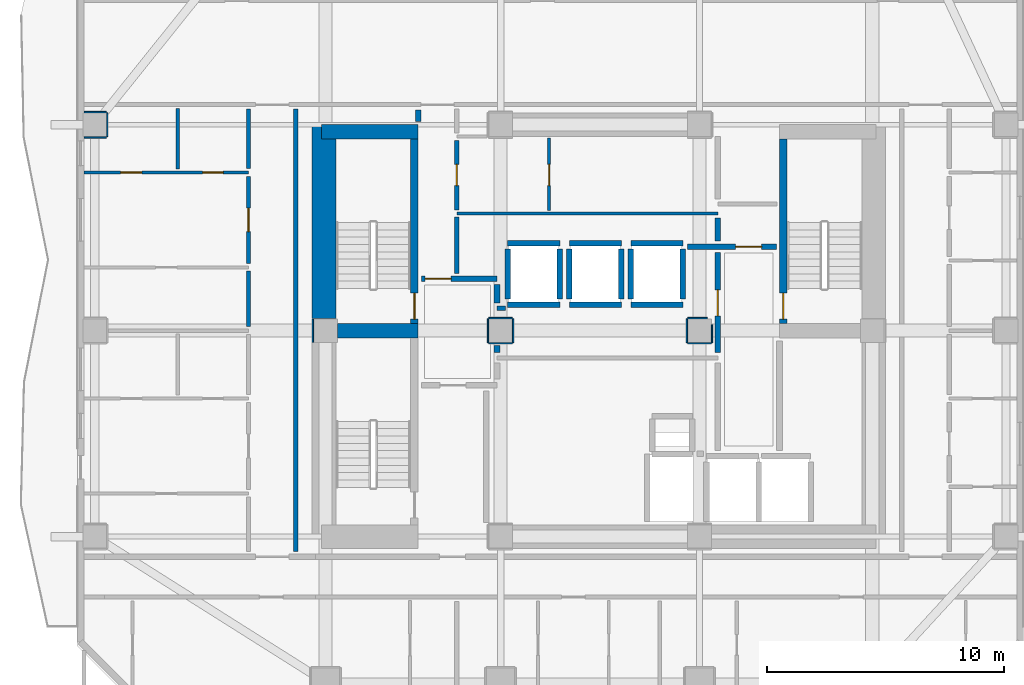
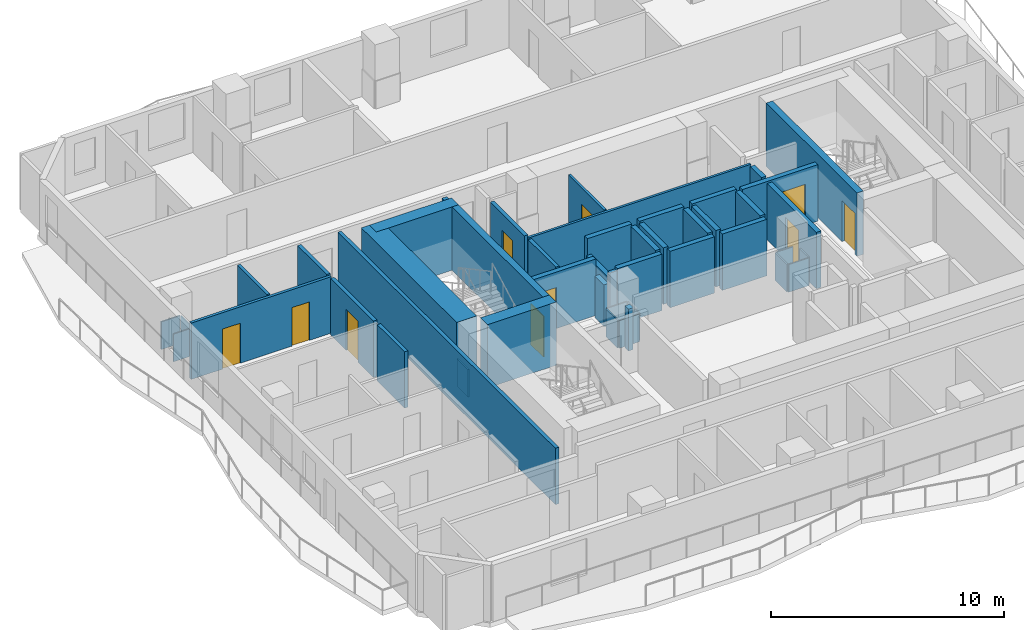
# One storey, part 4 of 11: 47 walls, 10 doors, 10 openings.
"""IFC4 building model written with IfcOpenShell, lengths in metres."""

from ifc_helpers import new_model, si_unit, direction, frame, frame_2d, origin, place, context, subcontext, project, spatial, rectangle, extrude, material, layer, layer_set, type_object, element, fill, save


model = new_model("IFC4")

# Units and contexts
model_context = context("Model", 3, precision=1e-05, world=origin(), true_north=direction((0.0, 1.0)))
body_context = subcontext(model_context, "Body", "Model", "MODEL_VIEW")
ifc_project = project(units=[si_unit("LENGTHUNIT", "METRE"), si_unit("AREAUNIT", "SQUARE_METRE"), si_unit("VOLUMEUNIT", "CUBIC_METRE"), si_unit("PLANEANGLEUNIT", "RADIAN"), si_unit("MASSUNIT", "GRAM", prefix="KILO")], contexts=[model_context])

# Site, building, storey
site_placement = place(None, origin())
site = spatial("IfcSite", under=ifc_project, at=site_placement, CompositionType="ELEMENT")
building_placement = place(site_placement, origin())
building = spatial("IfcBuilding", under=site, at=building_placement, Name="Solanera Arch Residences", CompositionType="ELEMENT")
storey_placement = place(building_placement, frame((0.0, 0.0, 169.159912109375)))
storey = spatial("IfcBuildingStorey", under=building, at=storey_placement, Name="L49", CompositionType="ELEMENT", Elevation=169.159912109375)

# Walls
ifc_material_1 = material(Name="Fire-Rated Gypsum Stud Partition", Category="gypsum")
ifc_layer_1 = layer(ifc_material_1, 0.06005859375)
ifc_layer_set_1 = layer_set([ifc_layer_1], Name="Fire-Rated Gypsum Stud Partition")
wall_type_1 = type_object("IfcWallType", Name="Column Acoustic Furring Wall 60", PredefinedType="PARTITIONING", material=ifc_layer_set_1)
wall_1_placement = place(storey_placement, frame((12.867919921875, 30.2099609375, 0.0), z_axis=(0.0, 0.0, 1.0), x_axis=(0.0, 1.0, 0.0)))
element("IfcWall", 1, at=wall_1_placement, inside=storey, type_object=wall_type_1, Name="L49 Column Furring 5W", PredefinedType="PARTITIONING", context=body_context, shape_type="SweptSolid", body=[
    extrude(rectangle(XDim=0.97998046875, YDim=0.06005859375, at=frame_2d((0.489990234375, 0.0))), origin(), (0.0, 0.0, 1.0), 1.4501953125),
])
for number, where, z_axis, x_axis, name in (
    (2, (20.300048828125, 30.16796875, 0.0), (0.0, 0.0, 1.0), (1.0, 0.0, 0.0), "L49 Column Furring 7S"),
    (3, (20.300048828125, 31.23193359375, 0.0), (0.0, 0.0, 1.0), (1.0, 0.0, 0.0), "L49 Column Furring 7N"),
    (4, (20.26806640625, 30.199951171875, 0.0), (0.0, 0.0, 1.0), (0.0, 1.0, 0.0), "L49 Column Furring 7W"),
    (5, (21.33203125, 30.199951171875, 0.0), (0.0, 0.0, 1.0), (0.0, 1.0, 0.0), "L49 Column Furring 7E"),
    (6, (28.699951171875, 30.16796875, 0.0), (0.0, 0.0, 1.0), (1.0, 0.0, 0.0), "L49 Column Furring 8S"),
):
    element("IfcWall", number, at=place(storey_placement, frame(where, z_axis=z_axis, x_axis=x_axis)), inside=storey, type_object=wall_type_1, Name=name, PredefinedType="PARTITIONING", context=body_context, shape_type="SweptSolid", body=[
        extrude(rectangle(XDim=1.0, YDim=0.06005859375, at=frame_2d((0.5, 0.0))), origin(), (0.0, 0.0, 1.0), 1.4501953125),
    ])
wall_2_placement = place(storey_placement, frame((28.699951171875, 31.23193359375, 0.0), z_axis=(0.0, 0.0, 1.0), x_axis=(1.0, 0.0, 0.0)))
element("IfcWall", 7, at=wall_2_placement, inside=storey, type_object=wall_type_1, Name="L49 Column Furring 8N", PredefinedType="PARTITIONING", context=body_context, shape_type="SweptSolid", body=[
    extrude(rectangle(XDim=0.8349609375, YDim=0.06005859375, at=frame_2d((0.41748046875, 0.0))), origin(), (0.0, 0.0, 1.0), 1.4501953125),
])
wall_3_placement = place(storey_placement, frame((28.66796875, 30.199951171875, 0.0), z_axis=(0.0, 0.0, 1.0), x_axis=(0.0, 1.0, 0.0)))
element("IfcWall", 8, at=wall_3_placement, inside=storey, type_object=wall_type_1, Name="L49 Column Furring 8W", PredefinedType="PARTITIONING", context=body_context, shape_type="SweptSolid", body=[
    extrude(rectangle(XDim=1.0, YDim=0.06005859375, at=frame_2d((0.5, 0.0))), origin(), (0.0, 0.0, 1.0), 1.4501953125),
])
wall_4_placement = place(storey_placement, frame((29.73193359375, 30.199951171875, 0.0), z_axis=(0.0, 0.0, 1.0), x_axis=(0.0, 1.0, 0.0)))
element("IfcWall", 9, at=wall_4_placement, inside=storey, type_object=wall_type_1, Name="L49 Column Furring 8E", PredefinedType="PARTITIONING", context=body_context, shape_type="SweptSolid", body=[
    extrude(rectangle(XDim=0.7470703125, YDim=0.06005859375, at=frame_2d((0.37353515625, 0.0))), origin(), (0.0, 0.0, 1.0), 1.4501953125),
])
for number, where, z_axis, x_axis, name in (
    (10, (3.2099609375, 38.867919921875, 0.0), (0.0, 0.0, 1.0), (1.0, 0.0, 0.0), "L49 Column Furring 21S"),
    (11, (3.2099609375, 39.931884765625, 0.0), (0.0, 0.0, 1.0), (1.0, 0.0, 0.0), "L49 Column Furring 21N"),
):
    element("IfcWall", number, at=place(storey_placement, frame(where, z_axis=z_axis, x_axis=x_axis)), inside=storey, type_object=wall_type_1, Name=name, PredefinedType="PARTITIONING", context=body_context, shape_type="SweptSolid", body=[
        extrude(rectangle(XDim=0.93994140625, YDim=0.06005859375, at=frame_2d((0.469970703125, 0.0))), origin(), (0.0, 0.0, 1.0), 1.4501953125),
    ])
wall_5_placement = place(storey_placement, frame((4.181884765625, 38.89990234375, 0.0), z_axis=(0.0, 0.0, 1.0), x_axis=(0.0, 1.0, 0.0)))
element("IfcWall", 12, at=wall_5_placement, inside=storey, type_object=wall_type_1, Name="L49 Column Furring 21E", PredefinedType="PARTITIONING", context=body_context, shape_type="SweptSolid", body=[
    extrude(rectangle(XDim=1.0, YDim=0.06005859375, at=frame_2d((0.5, 0.0))), origin(), (0.0, 0.0, 1.0), 1.4501953125),
])
ifc_material_2 = material(Name="Concrete C55/67 (f'c = 60 MPa)", Category="concrete")
ifc_layer_2 = layer(ifc_material_2, 1.0)
ifc_layer_set_2 = layer_set([ifc_layer_2], Name="Concrete C55/67 (f'c = 60 MPa)")
wall_type_2 = type_object("IfcWallType", Name="Core Shear Wall CW-1000", PredefinedType="SHEAR", material=ifc_layer_set_2)
wall_6_placement = place(storey_placement, frame((13.340087890625, 31.205078125, 0.0), z_axis=(0.0, 0.0, 1.0), x_axis=(0.0, 1.0, 0.0)))
element("IfcWall", 13, at=wall_6_placement, inside=storey, type_object=wall_type_2, Name="L49 West Core North Shear Wall", PredefinedType="SHEAR", context=body_context, shape_type="SweptSolid", body=[
    extrude(rectangle(XDim=8.19482421875, YDim=1.0, at=frame_2d((4.097412109375, 0.0))), origin(), (0.0, 0.0, 1.0), 3.320068359375),
])

# Wall, opening, door
ifc_material_3 = material(Name="Concrete C40/50 (f'c = 45 MPa)", Category="concrete")
ifc_layer_3 = layer(ifc_material_3, 0.320068359375)
ifc_layer_set_3 = layer_set([ifc_layer_3], Name="Concrete C40/50 (f'c = 45 MPa)")
wall_type_3 = type_object("IfcWallType", Name="Core Shear Wall CW-320", PredefinedType="SHEAR", material=ifc_layer_set_3)
wall_7_placement = place(storey_placement, frame((17.159912109375, 31.0, 0.0), z_axis=(0.0, 0.0, 1.0), x_axis=(0.0, 1.0, 0.0)))
wall_7 = element("IfcWall", 14, at=wall_7_placement, inside=storey, type_object=wall_type_3, Name="L49 Stair ST-T1 East Shear Wall", PredefinedType="SHEAR", context=body_context, shape_type="SweptSolid", body=[
    extrude(rectangle(XDim=7.800048828125, YDim=0.320068359375, at=frame_2d((3.89990234375, 0.0))), origin(), (0.0, 0.0, 1.0), 3.320068359375),
])
opening_1_placement = place(wall_7_placement, frame((0.18994140625, 0.0, 0.0)))
opening_1 = element("IfcOpeningElement", 15, at=opening_1_placement, cuts=wall_7, Name="Opening DF-01", PredefinedType="OPENING", context=body_context, shape_type="SweptSolid", body=[
    extrude(rectangle(XDim=1.10009765625, YDim=2.14990234375, at=frame_2d((0.550048828125, 1.074951171875))), frame((0.0, 0.169921875, 0.0), z_axis=(0.0, -1.0, 0.0), x_axis=(1.0, 0.0, 0.0)), (0.0, 0.0, 1.0), 0.3401),
])
ifc_material_4 = material(Name="Fire-Rated Architectural Hardwood", Category="wood")
door_type_1 = type_object("IfcDoorType", Name="Stair Exit Fire Door DF-01", OperationType="NOTDEFINED", PredefinedType="DOOR", material=ifc_material_4)
door_1_placement = place(opening_1_placement, origin())
door_1 = element("IfcDoor", 16, at=door_1_placement, inside=storey, type_object=door_type_1, Name="DR-L49-STAIR-ST-T1", OperationType="SINGLE_SWING_LEFT", OverallHeight=2.14990234375, OverallWidth=1.10009765625, PredefinedType="DOOR", context=body_context, shape_type="SweptSolid", body=[
    extrude(rectangle(XDim=1.10009765625, YDim=2.14990234375, at=frame_2d((0.550048828125, 1.074951171875))), frame((0.0, 0.02490234375, 0.0), z_axis=(0.0, -1.0, 0.0), x_axis=(1.0, 0.0, 0.0)), (0.0, 0.0, 1.0), 0.050048828125),
])
fill(opening_1, door_1)

wall_8_placement = place(storey_placement, frame((32.739990234375, 31.0, 0.0), z_axis=(0.0, 0.0, 1.0), x_axis=(0.0, 1.0, 0.0)))
wall_8 = element("IfcWall", 17, at=wall_8_placement, inside=storey, type_object=wall_type_3, Name="L49 Stair ST-T2 West Shear Wall", PredefinedType="SHEAR", context=body_context, shape_type="SweptSolid", body=[
    extrude(rectangle(XDim=7.800048828125, YDim=0.320068359375, at=frame_2d((3.89990234375, 0.0))), origin(), (0.0, 0.0, 1.0), 3.320068359375),
])
opening_2_placement = place(wall_8_placement, frame((0.18994140625, 0.0, 0.0)))
opening_2 = element("IfcOpeningElement", 18, at=opening_2_placement, cuts=wall_8, Name="Opening DF-01", PredefinedType="OPENING", context=body_context, shape_type="SweptSolid", body=[
    extrude(rectangle(XDim=1.10009765625, YDim=2.14990234375, at=frame_2d((0.550048828125, 1.074951171875))), frame((0.0, 0.169921875, 0.0), z_axis=(0.0, -1.0, 0.0), x_axis=(1.0, 0.0, 0.0)), (0.0, 0.0, 1.0), 0.3401),
])
door_2_placement = place(opening_2_placement, origin())
door_2 = element("IfcDoor", 19, at=door_2_placement, inside=storey, type_object=door_type_1, Name="DR-L49-STAIR-ST-T2", OperationType="SINGLE_SWING_RIGHT", OverallHeight=2.14990234375, OverallWidth=1.10009765625, PredefinedType="DOOR", context=body_context, shape_type="SweptSolid", body=[
    extrude(rectangle(XDim=1.10009765625, YDim=2.14990234375, at=frame_2d((0.550048828125, 1.074951171875))), frame((0.0, 0.02490234375, 0.0), z_axis=(0.0, -1.0, 0.0), x_axis=(1.0, 0.0, 0.0)), (0.0, 0.0, 1.0), 0.050048828125),
])
fill(opening_2, door_2)

# Walls
ifc_material_5 = material(Name="Concrete C40/50 (f'c = 45 MPa)", Category="concrete")
ifc_layer_4 = layer(ifc_material_5, 0.60009765625)
ifc_layer_set_4 = layer_set([ifc_layer_4], Name="Concrete C40/50 (f'c = 45 MPa)")
wall_type_4 = type_object("IfcWallType", Name="Core Shear Wall CW-600", PredefinedType="SHEAR", material=ifc_layer_set_4)
wall_9_placement = place(storey_placement, frame((13.239990234375, 39.10009765625, 0.0), z_axis=(0.0, 0.0, 1.0), x_axis=(1.0, 0.0, 0.0)))
element("IfcWall", 20, at=wall_9_placement, inside=storey, type_object=wall_type_4, Name="L49 North-West Core Shear Wall", PredefinedType="SHEAR", context=body_context, shape_type="SweptSolid", body=[
    extrude(rectangle(XDim=4.080078125, YDim=0.60009765625, at=frame_2d((2.0400390625, 0.0))), origin(), (0.0, 0.0, 1.0), 3.320068359375),
])
wall_10_placement = place(storey_placement, frame((13.905029296875, 30.699951171875, 0.0), z_axis=(0.0, 0.0, 1.0), x_axis=(1.0, 0.0, 0.0)))
element("IfcWall", 21, at=wall_10_placement, inside=storey, type_object=wall_type_4, Name="L49 West Stair Divider Shear Wall", PredefinedType="SHEAR", context=body_context, shape_type="SweptSolid", body=[
    extrude(rectangle(XDim=3.4150390625, YDim=0.60009765625, at=frame_2d((1.70751953125, 0.0))), origin(), (0.0, 0.0, 1.0), 3.320068359375),
])
ifc_material_6 = material(Name="Autoclaved Aerated Concrete Blockwork", Category="masonry")
ifc_layer_5 = layer(ifc_material_6, 0.179931640625)
ifc_layer_set_5 = layer_set([ifc_layer_5], Name="Autoclaved Aerated Concrete Blockwork")
wall_type_5 = type_object("IfcWallType", Name="Corridor Fire Partition 180", PredefinedType="PARTITIONING", material=ifc_layer_set_5)
wall_11_placement = place(storey_placement, frame((20.64990234375, 31.64990234375, 0.0), z_axis=(0.0, 0.0, 1.0), x_axis=(1.0, 0.0, 0.0)))
element("IfcWall", 22, at=wall_11_placement, inside=storey, type_object=wall_type_5, Name="L49 Interior Partition H8", PredefinedType="PARTITIONING", context=body_context, shape_type="SweptSolid", body=[
    extrude(rectangle(XDim=0.357177734375, YDim=0.179931640625, at=frame_2d((0.1787109375, 0.0))), origin(), (0.0, 0.0, 1.0), 2.960205078125),
])
wall_12_placement = place(storey_placement, frame((10.14990234375, 30.867919921875, 0.0), z_axis=(0.0, 0.0, 1.0), x_axis=(0.0, 1.0, 0.0)))
element("IfcWall", 23, at=wall_12_placement, inside=storey, type_object=wall_type_5, Name="L49 Interior Partition V8 4", PredefinedType="PARTITIONING", context=body_context, shape_type="SweptSolid", body=[
    extrude(rectangle(XDim=2.34814453125, YDim=0.179931640625, at=frame_2d((1.174072265625, 0.0))), origin(), (0.0, 0.0, 1.0), 2.960205078125),
])

# Wall, opening, door
wall_13_placement = place(storey_placement, frame((10.14990234375, 33.531982421875, 0.0), z_axis=(0.0, 0.0, 1.0), x_axis=(0.0, 1.0, 0.0)))
wall_13 = element("IfcWall", 24, at=wall_13_placement, inside=storey, type_object=wall_type_5, Name="L49 Interior Partition V8 5", PredefinedType="PARTITIONING", context=body_context, shape_type="SweptSolid", body=[
    extrude(rectangle(XDim=3.68505859375, YDim=0.179931640625, at=frame_2d((1.842529296875, 0.0))), origin(), (0.0, 0.0, 1.0), 2.960205078125),
])
opening_3_placement = place(wall_13_placement, frame((1.347900390625, 0.0, 0.0)))
opening_3 = element("IfcOpeningElement", 25, at=opening_3_placement, cuts=wall_13, Name="Opening DI-01", PredefinedType="OPENING", context=body_context, shape_type="SweptSolid", body=[
    extrude(rectangle(XDim=1.0, YDim=2.14990234375, at=frame_2d((0.5, 1.074951171875))), frame((0.0, 0.10009765625, 0.0), z_axis=(0.0, -1.0, 0.0), x_axis=(1.0, 0.0, 0.0)), (0.0, 0.0, 1.0), 0.1999),
])
ifc_material_7 = material(Name="Fire-Rated Architectural Hardwood", Category="wood")
door_type_2 = type_object("IfcDoorType", Name="Unit Entrance Fire Door DI-01", OperationType="NOTDEFINED", PredefinedType="DOOR", material=ifc_material_7)
door_3_placement = place(opening_3_placement, origin())
door_3 = element("IfcDoor", 26, at=door_3_placement, inside=storey, type_object=door_type_2, Name="DR-L49-IN-038", OperationType="SINGLE_SWING_RIGHT", OverallHeight=2.14990234375, OverallWidth=1.0, PredefinedType="DOOR", context=body_context, shape_type="SweptSolid", body=[
    extrude(rectangle(XDim=1.0, YDim=2.14990234375, at=frame_2d((0.5, 1.074951171875))), frame((0.0, 0.02490234375, 0.0), z_axis=(0.0, -1.0, 0.0), x_axis=(1.0, 0.0, 0.0)), (0.0, 0.0, 1.0), 0.050048828125),
])
fill(opening_3, door_3)

# Walls
wall_14_placement = place(storey_placement, frame((10.14990234375, 37.552978515625, 0.0), z_axis=(0.0, 0.0, 1.0), x_axis=(0.0, 1.0, 0.0)))
element("IfcWall", 27, at=wall_14_placement, inside=storey, type_object=wall_type_5, Name="L49 Interior Partition V8 6", PredefinedType="PARTITIONING", context=body_context, shape_type="SweptSolid", body=[
    extrude(rectangle(XDim=2.509033203125, YDim=0.179931640625, at=frame_2d((1.25439453125, 0.0))), origin(), (0.0, 0.0, 1.0), 2.960205078125),
])
wall_15_placement = place(storey_placement, frame((12.14990234375, 21.367919921875, 0.0), z_axis=(0.0, 0.0, 1.0), x_axis=(0.0, 1.0, 0.0)))
element("IfcWall", 28, at=wall_15_placement, inside=storey, type_object=wall_type_5, Name="L49 Interior Partition V9", PredefinedType="PARTITIONING", context=body_context, shape_type="SweptSolid", body=[
    extrude(rectangle(XDim=18.694091796875, YDim=0.179931640625, at=frame_2d((9.34716796875, 0.0))), origin(), (0.0, 0.0, 1.0), 2.960205078125),
])
wall_16_placement = place(storey_placement, frame((18.949951171875, 33.117919921875, 0.0), z_axis=(0.0, 0.0, 1.0), x_axis=(0.0, 1.0, 0.0)))
element("IfcWall", 29, at=wall_16_placement, inside=storey, type_object=wall_type_5, Name="L49 Interior Partition V11 1", PredefinedType="PARTITIONING", context=body_context, shape_type="SweptSolid", body=[
    extrude(rectangle(XDim=2.3740234375, YDim=0.179931640625, at=frame_2d((1.18701171875, 0.0))), origin(), (0.0, 0.0, 1.0), 2.960205078125),
])

# Wall, opening, door
wall_17_placement = place(storey_placement, frame((18.949951171875, 35.80810546875, 0.0), z_axis=(0.0, 0.0, 1.0), x_axis=(0.0, 1.0, 0.0)))
wall_17 = element("IfcWall", 30, at=wall_17_placement, inside=storey, type_object=wall_type_5, Name="L49 Interior Partition V11 2", PredefinedType="PARTITIONING", context=body_context, shape_type="SweptSolid", body=[
    extrude(rectangle(XDim=2.933837890625, YDim=0.179931640625, at=frame_2d((1.466796875, 0.0))), origin(), (0.0, 0.0, 1.0), 2.960205078125),
])
opening_4_placement = place(wall_17_placement, frame((1.01708984375, 0.0, 0.0)))
opening_4 = element("IfcOpeningElement", 31, at=opening_4_placement, cuts=wall_17, Name="Opening DI-02", PredefinedType="OPENING", context=body_context, shape_type="SweptSolid", body=[
    extrude(rectangle(XDim=0.89990234375, YDim=2.10009765625, at=frame_2d((0.449951171875, 1.050048828125))), frame((0.0, 0.10009765625, 0.0), z_axis=(0.0, -1.0, 0.0), x_axis=(1.0, 0.0, 0.0)), (0.0, 0.0, 1.0), 0.1999),
])
ifc_material_8 = material(Name="Fire-Rated Architectural Hardwood", Category="wood")
door_type_3 = type_object("IfcDoorType", Name="Suite Room Swing Door DI-02", OperationType="NOTDEFINED", PredefinedType="DOOR", material=ifc_material_8)
door_4_placement = place(opening_4_placement, origin())
door_4 = element("IfcDoor", 32, at=door_4_placement, inside=storey, type_object=door_type_3, Name="DR-L49-IN-014", OperationType="SINGLE_SWING_RIGHT", OverallHeight=2.10009765625, OverallWidth=0.89990234375, PredefinedType="DOOR", context=body_context, shape_type="SweptSolid", body=[
    extrude(rectangle(XDim=0.89990234375, YDim=2.10009765625, at=frame_2d((0.449951171875, 1.050048828125))), frame((0.0, 0.02490234375, 0.0), z_axis=(0.0, -1.0, 0.0), x_axis=(1.0, 0.0, 0.0)), (0.0, 0.0, 1.0), 0.050048828125),
])
fill(opening_4, door_4)

# Walls
ifc_material_9 = material(Name="Autoclaved Aerated Concrete Blockwork", Category="masonry")
ifc_layer_6 = layer(ifc_material_9, 0.239990234375)
ifc_layer_set_6 = layer_set([ifc_layer_6], Name="Autoclaved Aerated Concrete Blockwork")
wall_type_6 = type_object("IfcWallType", Name="Shaft Wall Fire-Rated 240", PredefinedType="PARTITIONING", material=ifc_layer_set_6)
for number, where, z_axis, x_axis, name in (
    (33, (21.10009765625, 31.800048828125, 0.0), (0.0, 0.0, 1.0), (1.0, 0.0, 0.0), "L49 Lift PL-M1 Hoistway Wall S"),
    (34, (21.10009765625, 34.39990234375, 0.0), (0.0, 0.0, 1.0), (1.0, 0.0, 0.0), "L49 Lift PL-M1 Hoistway Wall N"),
):
    element("IfcWall", number, at=place(storey_placement, frame(where, z_axis=z_axis, x_axis=x_axis)), inside=storey, type_object=wall_type_6, Name=name, PredefinedType="PARTITIONING", context=body_context, shape_type="SweptSolid", body=[
        extrude(rectangle(XDim=2.199951171875, YDim=0.239990234375, at=frame_2d((1.10009765625, 0.0))), origin(), (0.0, 0.0, 1.0), 2.960205078125),
    ])
wall_18_placement = place(storey_placement, frame((21.10009765625, 32.048095703125, 0.0), z_axis=(0.0, 0.0, 1.0), x_axis=(0.0, 1.0, 0.0)))
element("IfcWall", 35, at=wall_18_placement, inside=storey, type_object=wall_type_6, Name="L49 Lift PL-M1 Hoistway Wall W", PredefinedType="PARTITIONING", context=body_context, shape_type="SweptSolid", body=[
    extrude(rectangle(XDim=2.10400390625, YDim=0.239990234375, at=frame_2d((1.052001953125, 0.0))), origin(), (0.0, 0.0, 1.0), 2.195068359375),
])
wall_19_placement = place(storey_placement, frame((23.300048828125, 32.048095703125, 0.0), z_axis=(0.0, 0.0, 1.0), x_axis=(0.0, 1.0, 0.0)))
element("IfcWall", 36, at=wall_19_placement, inside=storey, type_object=wall_type_6, Name="L49 Lift PL-M1 Hoistway Wall E", PredefinedType="PARTITIONING", context=body_context, shape_type="SweptSolid", body=[
    extrude(rectangle(XDim=2.10400390625, YDim=0.239990234375, at=frame_2d((1.052001953125, 0.0))), origin(), (0.0, 0.0, 1.0), 2.960205078125),
])
for number, where, z_axis, x_axis, name in (
    (37, (23.699951171875, 31.800048828125, 0.0), (0.0, 0.0, 1.0), (1.0, 0.0, 0.0), "L49 Lift PL-M2 Hoistway Wall S"),
    (38, (23.699951171875, 34.39990234375, 0.0), (0.0, 0.0, 1.0), (1.0, 0.0, 0.0), "L49 Lift PL-M2 Hoistway Wall N"),
):
    element("IfcWall", number, at=place(storey_placement, frame(where, z_axis=z_axis, x_axis=x_axis)), inside=storey, type_object=wall_type_6, Name=name, PredefinedType="PARTITIONING", context=body_context, shape_type="SweptSolid", body=[
        extrude(rectangle(XDim=2.199951171875, YDim=0.239990234375, at=frame_2d((1.10009765625, 0.0))), origin(), (0.0, 0.0, 1.0), 2.960205078125),
    ])
for number, where, z_axis, x_axis, name in (
    (39, (23.699951171875, 32.048095703125, 0.0), (0.0, 0.0, 1.0), (0.0, 1.0, 0.0), "L49 Lift PL-M2 Hoistway Wall W"),
    (40, (25.89990234375, 32.048095703125, 0.0), (0.0, 0.0, 1.0), (0.0, 1.0, 0.0), "L49 Lift PL-M2 Hoistway Wall E"),
):
    element("IfcWall", number, at=place(storey_placement, frame(where, z_axis=z_axis, x_axis=x_axis)), inside=storey, type_object=wall_type_6, Name=name, PredefinedType="PARTITIONING", context=body_context, shape_type="SweptSolid", body=[
        extrude(rectangle(XDim=2.10400390625, YDim=0.239990234375, at=frame_2d((1.052001953125, 0.0))), origin(), (0.0, 0.0, 1.0), 2.960205078125),
    ])
for number, where, z_axis, x_axis, name in (
    (41, (26.300048828125, 31.800048828125, 0.0), (0.0, 0.0, 1.0), (1.0, 0.0, 0.0), "L49 Lift PL-M3 Hoistway Wall S"),
    (42, (26.300048828125, 34.39990234375, 0.0), (0.0, 0.0, 1.0), (1.0, 0.0, 0.0), "L49 Lift PL-M3 Hoistway Wall N"),
):
    element("IfcWall", number, at=place(storey_placement, frame(where, z_axis=z_axis, x_axis=x_axis)), inside=storey, type_object=wall_type_6, Name=name, PredefinedType="PARTITIONING", context=body_context, shape_type="SweptSolid", body=[
        extrude(rectangle(XDim=2.199951171875, YDim=0.239990234375, at=frame_2d((1.10009765625, 0.0))), origin(), (0.0, 0.0, 1.0), 2.960205078125),
    ])
for number, where, z_axis, x_axis, name in (
    (43, (26.300048828125, 32.048095703125, 0.0), (0.0, 0.0, 1.0), (0.0, 1.0, 0.0), "L49 Lift PL-M3 Hoistway Wall W"),
    (44, (28.5, 32.048095703125, 0.0), (0.0, 0.0, 1.0), (0.0, 1.0, 0.0), "L49 Lift PL-M3 Hoistway Wall E"),
):
    element("IfcWall", number, at=place(storey_placement, frame(where, z_axis=z_axis, x_axis=x_axis)), inside=storey, type_object=wall_type_6, Name=name, PredefinedType="PARTITIONING", context=body_context, shape_type="SweptSolid", body=[
        extrude(rectangle(XDim=2.10400390625, YDim=0.239990234375, at=frame_2d((1.052001953125, 0.0))), origin(), (0.0, 0.0, 1.0), 2.960205078125),
    ])

# Wall, opening, door
wall_20_placement = place(storey_placement, frame((17.449951171875, 32.89990234375, 0.0), z_axis=(0.0, 0.0, 1.0), x_axis=(1.0, 0.0, 0.0)))
wall_20 = element("IfcWall", 45, at=wall_20_placement, inside=storey, type_object=wall_type_6, Name="L49 Interior Partition H4", PredefinedType="PARTITIONING", context=body_context, shape_type="SweptSolid", body=[
    extrude(rectangle(XDim=3.199951171875, YDim=0.239990234375, at=frame_2d((1.60009765625, 0.0))), origin(), (0.0, 0.0, 1.0), 2.960205078125),
])
opening_5_placement = place(wall_20_placement, frame((0.158935546875, 0.0, 0.0)))
opening_5 = element("IfcOpeningElement", 46, at=opening_5_placement, cuts=wall_20, Name="Opening DF-02", PredefinedType="OPENING", context=body_context, shape_type="SweptSolid", body=[
    extrude(rectangle(XDim=1.10009765625, YDim=2.14990234375, at=frame_2d((0.550048828125, 1.074951171875))), frame((0.0, 0.1298828125, 0.0), z_axis=(0.0, -1.0, 0.0), x_axis=(1.0, 0.0, 0.0)), (0.0, 0.0, 1.0), 0.26),
])
ifc_material_10 = material(Name="Fire-Rated Architectural Hardwood", Category="wood")
door_type_4 = type_object("IfcDoorType", Name="Firefighting Lobby Fire Door DF-02", OperationType="NOTDEFINED", PredefinedType="DOOR", material=ifc_material_10)
door_5_placement = place(opening_5_placement, origin())
door_5 = element("IfcDoor", 47, at=door_5_placement, inside=storey, type_object=door_type_4, Name="DR-L49-IN-005", OperationType="SINGLE_SWING_LEFT", OverallHeight=2.14990234375, OverallWidth=1.10009765625, PredefinedType="DOOR", context=body_context, shape_type="SweptSolid", body=[
    extrude(rectangle(XDim=1.10009765625, YDim=2.14990234375, at=frame_2d((0.550048828125, 1.074951171875))), frame((0.0, 0.02490234375, 0.0), z_axis=(0.0, -1.0, 0.0), x_axis=(1.0, 0.0, 0.0)), (0.0, 0.0, 1.0), 0.050048828125),
])
fill(opening_5, door_5)

wall_21_placement = place(storey_placement, frame((28.701904296875, 34.25, 0.0), z_axis=(0.0, 0.0, 1.0), x_axis=(1.0, 0.0, 0.0)))
wall_21 = element("IfcWall", 48, at=wall_21_placement, inside=storey, type_object=wall_type_6, Name="L49 Interior Partition H5", PredefinedType="PARTITIONING", context=body_context, shape_type="SweptSolid", body=[
    extrude(rectangle(XDim=3.748046875, YDim=0.239990234375, at=frame_2d((1.8740234375, 0.0))), origin(), (0.0, 0.0, 1.0), 2.960205078125),
])
opening_6_placement = place(wall_21_placement, frame((2.02490234375, 0.0, 0.0)))
opening_6 = element("IfcOpeningElement", 49, at=opening_6_placement, cuts=wall_21, Name="Opening DF-02", PredefinedType="OPENING", context=body_context, shape_type="SweptSolid", body=[
    extrude(rectangle(XDim=1.10009765625, YDim=2.14990234375, at=frame_2d((0.550048828125, 1.074951171875))), frame((0.0, 0.1298828125, 0.0), z_axis=(0.0, -1.0, 0.0), x_axis=(1.0, 0.0, 0.0)), (0.0, 0.0, 1.0), 0.26),
])
door_6_placement = place(opening_6_placement, origin())
door_6 = element("IfcDoor", 50, at=door_6_placement, inside=storey, type_object=door_type_4, Name="DR-L49-IN-007", OperationType="SINGLE_SWING_LEFT", OverallHeight=2.14990234375, OverallWidth=1.10009765625, PredefinedType="DOOR", context=body_context, shape_type="SweptSolid", body=[
    extrude(rectangle(XDim=1.10009765625, YDim=2.14990234375, at=frame_2d((0.550048828125, 1.074951171875))), frame((0.0, 0.02490234375, 0.0), z_axis=(0.0, -1.0, 0.0), x_axis=(1.0, 0.0, 0.0)), (0.0, 0.0, 1.0), 0.050048828125),
])
fill(opening_6, door_6)

# Walls
wall_22_placement = place(storey_placement, frame((17.320068359375, 39.530029296875, 0.0), z_axis=(0.0, 0.0, 1.0), x_axis=(0.0, 1.0, 0.0)))
element("IfcWall", 51, at=wall_22_placement, inside=storey, type_object=wall_type_6, Name="L49 Interior Partition V1", PredefinedType="PARTITIONING", context=body_context, shape_type="SweptSolid", body=[
    extrude(rectangle(XDim=0.501953125, YDim=0.239990234375, at=frame_2d((0.2509765625, 0.0))), origin(), (0.0, 0.0, 1.0), 2.960205078125),
])
wall_23_placement = place(storey_placement, frame((20.64990234375, 29.76806640625, 0.0), z_axis=(0.0, 0.0, 1.0), x_axis=(0.0, 1.0, 0.0)))
element("IfcWall", 52, at=wall_23_placement, inside=storey, type_object=wall_type_6, Name="L49 Interior Partition V4 2", PredefinedType="PARTITIONING", context=body_context, shape_type="SweptSolid", body=[
    extrude(rectangle(XDim=0.300048828125, YDim=0.239990234375, at=frame_2d((0.14990234375, 0.0))), origin(), (0.0, 0.0, 1.0), 2.195068359375),
])
wall_24_placement = place(storey_placement, frame((20.64990234375, 31.867919921875, 0.0), z_axis=(0.0, 0.0, 1.0), x_axis=(0.0, 1.0, 0.0)))
element("IfcWall", 53, at=wall_24_placement, inside=storey, type_object=wall_type_6, Name="L49 Interior Partition V4 3", PredefinedType="PARTITIONING", context=body_context, shape_type="SweptSolid", body=[
    extrude(rectangle(XDim=0.7841796875, YDim=0.239990234375, at=frame_2d((0.39208984375, 0.0))), origin(), (0.0, 0.0, 1.0), 2.195068359375),
])

# Wall, opening, door
wall_25_placement = place(storey_placement, frame((29.97509765625, 29.76806640625, 0.0), z_axis=(0.0, 0.0, 1.0), x_axis=(0.0, 1.0, 0.0)))
wall_25 = element("IfcWall", 54, at=wall_25_placement, inside=storey, type_object=wall_type_6, Name="L49 Interior Partition V5 2", PredefinedType="PARTITIONING", context=body_context, shape_type="SweptSolid", body=[
    extrude(rectangle(XDim=4.23388671875, YDim=0.239990234375, at=frame_2d((2.116943359375, 0.0))), origin(), (0.0, 0.0, 1.0), 2.960205078125),
])
opening_7_placement = place(wall_25_placement, frame((1.556884765625, 0.0, 0.0)))
opening_7 = element("IfcOpeningElement", 55, at=opening_7_placement, cuts=wall_25, Name="Opening DF-02", PredefinedType="OPENING", context=body_context, shape_type="SweptSolid", body=[
    extrude(rectangle(XDim=1.10009765625, YDim=2.14990234375, at=frame_2d((0.550048828125, 1.074951171875))), frame((0.0, 0.1298828125, 0.0), z_axis=(0.0, -1.0, 0.0), x_axis=(1.0, 0.0, 0.0)), (0.0, 0.0, 1.0), 0.26),
])
door_7_placement = place(opening_7_placement, origin())
door_7 = element("IfcDoor", 56, at=door_7_placement, inside=storey, type_object=door_type_4, Name="DR-L49-IN-006", OperationType="SINGLE_SWING_RIGHT", OverallHeight=2.14990234375, OverallWidth=1.10009765625, PredefinedType="DOOR", context=body_context, shape_type="SweptSolid", body=[
    extrude(rectangle(XDim=1.10009765625, YDim=2.14990234375, at=frame_2d((0.550048828125, 1.074951171875))), frame((0.0, 0.02490234375, 0.0), z_axis=(0.0, -1.0, 0.0), x_axis=(1.0, 0.0, 0.0)), (0.0, 0.0, 1.0), 0.050048828125),
])
fill(opening_7, door_7)

# Walls
wall_26_placement = place(storey_placement, frame((29.97509765625, 34.498046875, 0.0), z_axis=(0.0, 0.0, 1.0), x_axis=(0.0, 1.0, 0.0)))
element("IfcWall", 57, at=wall_26_placement, inside=storey, type_object=wall_type_6, Name="L49 Interior Partition V5 3", PredefinedType="PARTITIONING", context=body_context, shape_type="SweptSolid", body=[
    extrude(rectangle(XDim=0.9638671875, YDim=0.239990234375, at=frame_2d((0.48193359375, 0.0))), origin(), (0.0, 0.0, 1.0), 2.960205078125),
])
ifc_material_11 = material(Name="Fire-Rated Gypsum Stud Partition", Category="gypsum")
ifc_layer_7 = layer(ifc_material_11, 0.1201171875)
ifc_layer_set_7 = layer_set([ifc_layer_7], Name="Fire-Rated Gypsum Stud Partition")
wall_type_7 = type_object("IfcWallType", Name="Unit Drywall Partition 120", PredefinedType="PARTITIONING", material=ifc_layer_set_7)
wall_27_placement = place(storey_placement, frame((18.949951171875, 35.64990234375, 0.0), z_axis=(0.0, 0.0, 1.0), x_axis=(1.0, 0.0, 0.0)))
element("IfcWall", 58, at=wall_27_placement, inside=storey, type_object=wall_type_7, Name="L49 Interior Partition H27", PredefinedType="PARTITIONING", context=body_context, shape_type="SweptSolid", body=[
    extrude(rectangle(XDim=11.025146484375, YDim=0.1201171875, at=frame_2d((5.5126953125, 0.0))), origin(), (0.0, 0.0, 1.0), 2.960205078125),
])

# Wall, opening, door
wall_28_placement = place(storey_placement, frame((22.85009765625, 35.778076171875, 0.0), z_axis=(0.0, 0.0, 1.0), x_axis=(0.0, 1.0, 0.0)))
wall_28 = element("IfcWall", 59, at=wall_28_placement, inside=storey, type_object=wall_type_7, Name="L49 Interior Partition V27", PredefinedType="PARTITIONING", context=body_context, shape_type="SweptSolid", body=[
    extrude(rectangle(XDim=3.052001953125, YDim=0.1201171875, at=frame_2d((1.52587890625, 0.0))), origin(), (0.0, 0.0, 1.0), 2.960205078125),
])
opening_8_placement = place(wall_28_placement, frame((1.047119140625, 0.0, 0.0)))
opening_8 = element("IfcOpeningElement", 60, at=opening_8_placement, cuts=wall_28, Name="Opening DI-02", PredefinedType="OPENING", context=body_context, shape_type="SweptSolid", body=[
    extrude(rectangle(XDim=0.89990234375, YDim=2.10009765625, at=frame_2d((0.449951171875, 1.050048828125))), frame((0.0, 0.070068359375, 0.0), z_axis=(0.0, -1.0, 0.0), x_axis=(1.0, 0.0, 0.0)), (0.0, 0.0, 1.0), 0.1401),
])
door_8_placement = place(opening_8_placement, origin())
door_8 = element("IfcDoor", 61, at=door_8_placement, inside=storey, type_object=door_type_3, Name="DR-L49-IN-015", OperationType="SINGLE_SWING_LEFT", OverallHeight=2.10009765625, OverallWidth=0.89990234375, PredefinedType="DOOR", context=body_context, shape_type="SweptSolid", body=[
    extrude(rectangle(XDim=0.89990234375, YDim=2.10009765625, at=frame_2d((0.449951171875, 1.050048828125))), frame((0.0, 0.02490234375, 0.0), z_axis=(0.0, -1.0, 0.0), x_axis=(1.0, 0.0, 0.0)), (0.0, 0.0, 1.0), 0.050048828125),
])
fill(opening_8, door_8)

# Wall, openings, doors
ifc_material_12 = material(Name="Autoclaved Aerated Concrete Blockwork", Category="masonry")
ifc_layer_8 = layer(ifc_material_12, 0.139892578125)
ifc_layer_set_8 = layer_set([ifc_layer_8], Name="Autoclaved Aerated Concrete Blockwork")
wall_type_8 = type_object("IfcWallType", Name="Wet-Room Partition 140", PredefinedType="PARTITIONING", material=ifc_layer_set_8)
wall_29_placement = place(storey_placement, frame((3.20703125, 37.385009765625, 0.0), z_axis=(0.0, 0.0, 1.0), x_axis=(1.0, 0.0, 0.0)))
wall_29 = element("IfcWall", 62, at=wall_29_placement, inside=storey, type_object=wall_type_8, Name="L49 Interior Partition H19", PredefinedType="PARTITIONING", context=body_context, shape_type="SweptSolid", body=[
    extrude(rectangle(XDim=6.94287109375, YDim=0.139892578125, at=frame_2d((3.471435546875, 0.0))), origin(), (0.0, 0.0, 1.0), 2.960205078125),
])
opening_9_placement = place(wall_29_placement, frame((5.006103515625, 0.0, 0.0)))
opening_9 = element("IfcOpeningElement", 63, at=opening_9_placement, cuts=wall_29, Name="Opening DI-05", PredefinedType="OPENING", context=body_context, shape_type="SweptSolid", body=[
    extrude(rectangle(XDim=0.860107421875, YDim=2.02001953125, at=frame_2d((0.43017578125, 1.010009765625))), frame((0.0, 0.079833984375, 0.0), z_axis=(0.0, -1.0, 0.0), x_axis=(1.0, 0.0, 0.0)), (0.0, 0.0, 1.0), 0.1599),
])
opening_10_placement = place(wall_29_placement, frame((1.537109375, 0.0, 0.0)))
opening_10 = element("IfcOpeningElement", 64, at=opening_10_placement, cuts=wall_29, Name="Opening DI-03", PredefinedType="OPENING", context=body_context, shape_type="SweptSolid", body=[
    extrude(rectangle(XDim=0.89990234375, YDim=2.10009765625, at=frame_2d((0.449951171875, 1.050048828125))), frame((0.0, 0.079833984375, 0.0), z_axis=(0.0, -1.0, 0.0), x_axis=(1.0, 0.0, 0.0)), (0.0, 0.0, 1.0), 0.1599),
])
ifc_material_13 = material(Name="Fire-Rated Architectural Hardwood", Category="wood")
door_type_5 = type_object("IfcDoorType", Name="Bathroom Swing Door DI-05", OperationType="NOTDEFINED", PredefinedType="DOOR", material=ifc_material_13)
door_9_placement = place(opening_9_placement, origin())
door_9 = element("IfcDoor", 65, at=door_9_placement, inside=storey, type_object=door_type_5, Name="DR-L49-IN-040", OperationType="SINGLE_SWING_RIGHT", OverallHeight=2.02001953125, OverallWidth=0.860107421875, PredefinedType="DOOR", context=body_context, shape_type="SweptSolid", body=[
    extrude(rectangle(XDim=0.860107421875, YDim=2.02001953125, at=frame_2d((0.43017578125, 1.010009765625))), frame((0.0, 0.02490234375, 0.0), z_axis=(0.0, -1.0, 0.0), x_axis=(1.0, 0.0, 0.0)), (0.0, 0.0, 1.0), 0.050048828125),
])
fill(opening_9, door_9)
ifc_material_14 = material(Name="Fire-Rated Architectural Hardwood", Category="wood")
door_type_6 = type_object("IfcDoorType", Name="Bedroom Swing Door DI-03", OperationType="NOTDEFINED", PredefinedType="DOOR", material=ifc_material_14)
door_10_placement = place(opening_10_placement, origin())
door_10 = element("IfcDoor", 66, at=door_10_placement, inside=storey, type_object=door_type_6, Name="DR-L49-IN-041", OperationType="SINGLE_SWING_LEFT", OverallHeight=2.10009765625, OverallWidth=0.89990234375, PredefinedType="DOOR", context=body_context, shape_type="SweptSolid", body=[
    extrude(rectangle(XDim=0.89990234375, YDim=2.10009765625, at=frame_2d((0.449951171875, 1.050048828125))), frame((0.0, 0.02490234375, 0.0), z_axis=(0.0, -1.0, 0.0), x_axis=(1.0, 0.0, 0.0)), (0.0, 0.0, 1.0), 0.050048828125),
])
fill(opening_10, door_10)

# Wall
wall_30_placement = place(storey_placement, frame((7.162109375, 37.532958984375, 0.0), z_axis=(0.0, 0.0, 1.0), x_axis=(0.0, 1.0, 0.0)))
element("IfcWall", 67, at=wall_30_placement, inside=storey, type_object=wall_type_8, Name="L49 Interior Partition V18", PredefinedType="PARTITIONING", context=body_context, shape_type="SweptSolid", body=[
    extrude(rectangle(XDim=2.549072265625, YDim=0.139892578125, at=frame_2d((1.2744140625, 0.0))), origin(), (0.0, 0.0, 1.0), 2.960205078125),
])

save(model, "model.ifc")
